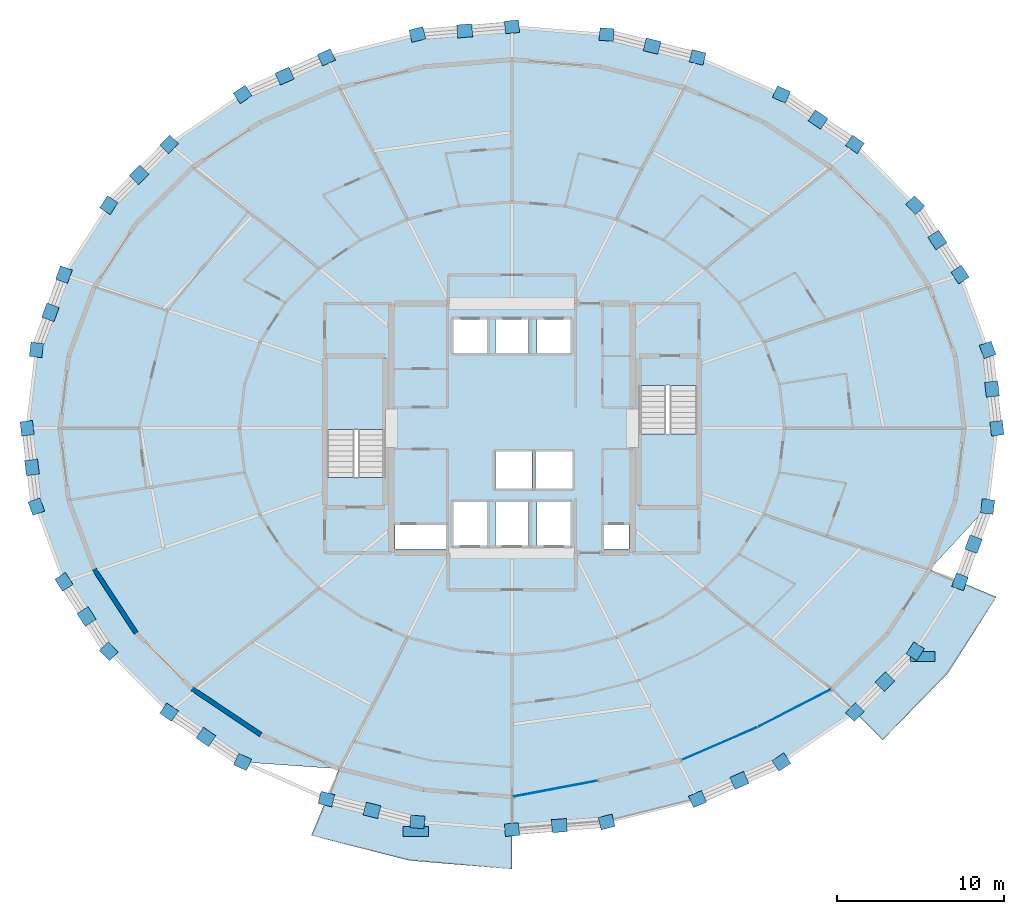
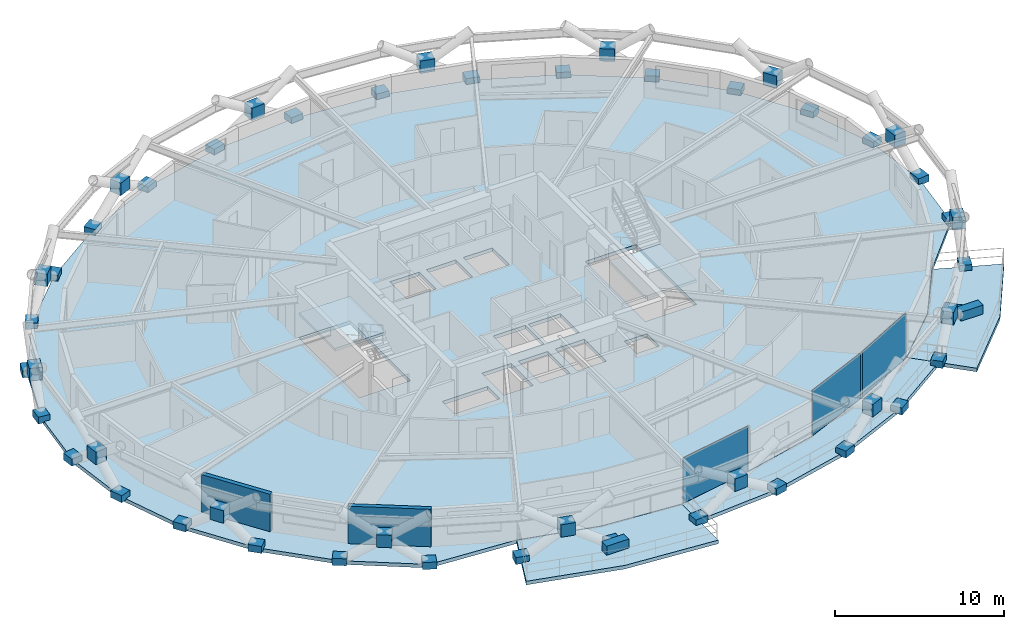
# One storey, part 8 of 14: 53 plates, 6 slabs, 2 walls, 4 elements without a shape of their own.
"""IFC4 building model written with IfcOpenShell, lengths in metres."""

from ifc_helpers import new_model, si_unit, direction, frame, frame_2d, origin, origin_2d, place, context, subcontext, project, spatial, polyline, rectangle, outline, extrude, material, layer, layer_set, type_object, element, aggregate, save


model = new_model("IFC4")

# Units and contexts
model_context = context("Model", 3, precision=1e-05, world=origin(), true_north=direction((0.0, 1.0)))
body_context = subcontext(model_context, "Body", "Model", "MODEL_VIEW")
ifc_project = project(units=[si_unit("LENGTHUNIT", "METRE"), si_unit("AREAUNIT", "SQUARE_METRE"), si_unit("VOLUMEUNIT", "CUBIC_METRE"), si_unit("PLANEANGLEUNIT", "RADIAN"), si_unit("MASSUNIT", "GRAM", prefix="KILO")], contexts=[model_context])

# Site, building, storey
site_placement = place(None, origin())
site = spatial("IfcSite", under=ifc_project, at=site_placement, CompositionType="ELEMENT")
building_placement = place(site_placement, origin())
building = spatial("IfcBuilding", under=site, at=building_placement, Name="Veldorina Hangang Commons", CompositionType="ELEMENT")
storey_placement = place(building_placement, frame((0.0, 0.0, 88.0)))
storey = spatial("IfcBuildingStorey", under=building, at=storey_placement, Name="L22", CompositionType="ELEMENT", Elevation=88.0)

# Curtain wall, plate
ifc_material_1 = material(Name="Glass Low-E Triple IGU", Category="glass")
ifc_layer_1 = layer(ifc_material_1, 0.179931640625)
ifc_layer_set_1 = layer_set([ifc_layer_1], Name="Glass Low-E Triple IGU")
curtain_wall_type = type_object("IfcCurtainWallType", Name="CW-SYS-Z1", PredefinedType="NOTDEFINED", material=ifc_layer_set_1)
curtain_wall_1_placement = place(storey_placement, origin())
curtain_wall_1 = element("IfcCurtainWall", 1, at=curtain_wall_1_placement, inside=storey, type_object=curtain_wall_type, Name="L22 unitised curtain wall CW-L22-R1", PredefinedType="NOTDEFINED")
ifc_layer_2 = layer(ifc_material_1, 0.0400390625)
ifc_layer_set_2 = layer_set([ifc_layer_2], Name="Glass Low-E Triple IGU")
plate_type_1 = type_object("IfcPlateType", Name="CW-PNL-VIS", PredefinedType="CURTAIN_PANEL", material=ifc_layer_set_2)
plate_1_placement = place(storey_placement, frame((34.578369140625, 2.479736328125, 0.014892578125), z_axis=(0.0, 0.0, 1.0), x_axis=(0.982690482187, 0.185255003223, 0.0)))
plate_1 = element("IfcPlate", 2, at=plate_1_placement, type_object=plate_type_1, Name="CW-L22-R1 facet 1 glazed vision panel", PredefinedType="CURTAIN_PANEL", context=body_context, shape_type="SweptSolid", body=[
    extrude(rectangle(XDim=5.0673828125, YDim=0.0400390625, at=origin_2d()), origin(), (0.0, 0.0, 1.0), 3.27001953125),
])
aggregate(curtain_wall_1, [plate_1])

# Curtain wall, plates
curtain_wall_2_placement = place(storey_placement, origin())
curtain_wall_2 = element("IfcCurtainWall", 3, at=curtain_wall_2_placement, inside=storey, type_object=curtain_wall_type, Name="L22 unitised curtain wall CW-L22-R2", PredefinedType="NOTDEFINED")
plate_2_placement = place(storey_placement, frame((44.39990234375, 5.17724609375, 0.014892578125), z_axis=(0.0, 0.0, 1.0), x_axis=(0.917435479177, 0.397884583198, 0.0)))
plate_2 = element("IfcPlate", 4, at=plate_2_placement, type_object=plate_type_1, Name="CW-L22-R2 facet 1 glazed vision panel", PredefinedType="CURTAIN_PANEL", context=body_context, shape_type="SweptSolid", body=[
    extrude(rectangle(XDim=4.80078125, YDim=0.0400390625, at=origin_2d()), origin(), (0.0, 0.0, 1.0), 3.27001953125),
])
plate_3_placement = place(storey_placement, frame((48.885498046875, 7.3037109375, 0.014892578125), z_axis=(0.0, 0.0, 1.0), x_axis=(0.888657253995, 0.458572006256, 0.0)))
plate_3 = element("IfcPlate", 5, at=plate_3_placement, type_object=plate_type_1, Name="CW-L22-R2 facet 2 glazed vision panel", PredefinedType="CURTAIN_PANEL", context=body_context, shape_type="SweptSolid", body=[
    extrude(rectangle(XDim=4.772705078125, YDim=0.0400390625, at=origin_2d()), origin(), (0.0, 0.0, 1.0), 3.27001953125),
])
aggregate(curtain_wall_2, [plate_2, plate_3])

# Plates
ifc_material_2 = material(Name="Steel SM460-TMC", Category="steel")
ifc_layer_3 = layer(ifc_material_2, 0.035888671875)
ifc_layer_set_3 = layer_set([ifc_layer_3], Name="Steel SM460-TMC")
plate_type_2 = type_object("IfcPlateType", Name="PL-STAR-36", PredefinedType="USERDEFINED", material=ifc_layer_set_3)
plate_4_placement = place(storey_placement, frame((60.95166015625, 24.0, -0.090087890625), z_axis=(0.0, 0.0, 1.0), x_axis=(-0.11814400649, 0.992996472164, 0.0)))
element("IfcPlate", 6, at=plate_4_placement, inside=storey, type_object=plate_type_2, Name="L22 diagrid star-node gusset plate 00", ObjectType="GUSSET PLATE", PredefinedType="USERDEFINED", context=body_context, shape_type="SweptSolid", body=[
    extrude(rectangle(XDim=0.85009765625, YDim=0.75, at=origin_2d()), origin(), (0.0, 0.0, 1.0), 0.5),
])
plate_5_placement = place(storey_placement, frame((60.65869140625, 26.3369140625, 1.350830078125), z_axis=(0.0, 0.0, 1.0), x_axis=(-0.11814400649, 0.992996472164, 0.0)))
element("IfcPlate", 7, at=plate_5_placement, inside=storey, type_object=plate_type_2, Name="L22 diagrid X-crossing star-node gusset plate 00", ObjectType="GUSSET PLATE", PredefinedType="USERDEFINED", context=body_context, shape_type="SweptSolid", body=[
    extrude(rectangle(XDim=0.89990234375, YDim=0.780029296875, at=origin_2d()), origin(), (0.0, 0.0, 1.0), 0.89990234375),
])
for number, where, z_axis, x_axis, name in (
    (8, (60.3955078125, 28.675537109375, -0.090087890625), (0.0, 0.0, 1.0), (-0.344069419026, 0.938944212875, 0.0), "L22 diagrid star-node gusset plate 01"),
    (9, (58.747802734375, 33.17138671875, -0.090087890625), (0.0, 0.0, 1.0), (-0.542441536663, 0.840093553899, 0.0), "L22 diagrid star-node gusset plate 02"),
):
    element("IfcPlate", number, at=place(storey_placement, frame(where, z_axis=z_axis, x_axis=x_axis)), inside=storey, type_object=plate_type_2, Name=name, ObjectType="GUSSET PLATE", PredefinedType="USERDEFINED", context=body_context, shape_type="SweptSolid", body=[
        extrude(rectangle(XDim=0.85009765625, YDim=0.75, at=origin_2d()), origin(), (0.0, 0.0, 1.0), 0.5),
    ])
plate_6_placement = place(storey_placement, frame((57.39697265625, 35.23828125, 1.350830078125), z_axis=(0.0, 0.0, 1.0), x_axis=(-0.542441536663, 0.840093553899, 0.0)))
element("IfcPlate", 10, at=plate_6_placement, inside=storey, type_object=plate_type_2, Name="L22 diagrid X-crossing star-node gusset plate 02", ObjectType="GUSSET PLATE", PredefinedType="USERDEFINED", context=body_context, shape_type="SweptSolid", body=[
    extrude(rectangle(XDim=0.89990234375, YDim=0.780029296875, at=origin_2d()), origin(), (0.0, 0.0, 1.0), 0.89990234375),
])
for number, where, z_axis, x_axis, name in (
    (11, (56.072509765625, 37.31494140625, -0.090087890625), (0.0, 0.0, 1.0), (-0.70405190871, 0.710148512525, 0.0), "L22 diagrid star-node gusset plate 03"),
    (12, (52.471923828125, 40.94677734375, -0.090087890625), (0.0, 0.0, 1.0), (-0.827168855921, 0.561953453405, 0.0), "L22 diagrid star-node gusset plate 04"),
):
    element("IfcPlate", number, at=place(storey_placement, frame(where, z_axis=z_axis, x_axis=x_axis)), inside=storey, type_object=plate_type_2, Name=name, ObjectType="GUSSET PLATE", PredefinedType="USERDEFINED", context=body_context, shape_type="SweptSolid", body=[
        extrude(rectangle(XDim=0.85009765625, YDim=0.75, at=origin_2d()), origin(), (0.0, 0.0, 1.0), 0.5),
    ])
plate_7_placement = place(storey_placement, frame((50.268798828125, 42.4287109375, 1.350830078125), z_axis=(0.0, 0.0, 1.0), x_axis=(-0.827168855921, 0.561953453405, 0.0)))
element("IfcPlate", 13, at=plate_7_placement, inside=storey, type_object=plate_type_2, Name="L22 diagrid X-crossing star-node gusset plate 04", ObjectType="GUSSET PLATE", PredefinedType="USERDEFINED", context=body_context, shape_type="SweptSolid", body=[
    extrude(rectangle(XDim=0.89990234375, YDim=0.780029296875, at=origin_2d()), origin(), (0.0, 0.0, 1.0), 0.89990234375),
])
for number, where, z_axis, x_axis, name in (
    (14, (48.084716796875, 43.92724609375, -0.090087890625), (0.0, 0.0, 1.0), (-0.91448008638, 0.404630907884, 0.0), "L22 diagrid star-node gusset plate 05"),
    (15, (43.079345703125, 46.141845703125, -0.090087890625), (0.0, 0.0, 1.0), (-0.969889020457, 0.243547301352, 0.0), "L22 diagrid star-node gusset plate 06"),
):
    element("IfcPlate", number, at=place(storey_placement, frame(where, z_axis=z_axis, x_axis=x_axis)), inside=storey, type_object=plate_type_2, Name=name, ObjectType="GUSSET PLATE", PredefinedType="USERDEFINED", context=body_context, shape_type="SweptSolid", body=[
        extrude(rectangle(XDim=0.85009765625, YDim=0.75, at=origin_2d()), origin(), (0.0, 0.0, 1.0), 0.5),
    ])
plate_8_placement = place(storey_placement, frame((40.359375, 46.813720703125, 1.350830078125), z_axis=(0.0, 0.0, 1.0), x_axis=(-0.969889020457, 0.243547301352, 0.0)))
element("IfcPlate", 16, at=plate_8_placement, inside=storey, type_object=plate_type_2, Name="L22 diagrid X-crossing star-node gusset plate 06", ObjectType="GUSSET PLATE", PredefinedType="USERDEFINED", context=body_context, shape_type="SweptSolid", body=[
    extrude(rectangle(XDim=0.89990234375, YDim=0.780029296875, at=origin_2d()), origin(), (0.0, 0.0, 1.0), 0.89990234375),
])
for number, where, z_axis, x_axis, name in (
    (17, (37.648193359375, 47.505615234375, -0.090087890625), (0.0, 0.0, 1.0), (-0.996692929705, 0.08126010015, 0.0), "L22 diagrid star-node gusset plate 07"),
    (18, (32.0, 47.96630859375, -0.090087890625), (0.0, 0.0, 1.0), (-0.996692929705, -0.08126010015, 0.0), "L22 diagrid star-node gusset plate 08"),
):
    element("IfcPlate", number, at=place(storey_placement, frame(where, z_axis=z_axis, x_axis=x_axis)), inside=storey, type_object=plate_type_2, Name=name, ObjectType="GUSSET PLATE", PredefinedType="USERDEFINED", context=body_context, shape_type="SweptSolid", body=[
        extrude(rectangle(XDim=0.85009765625, YDim=0.75, at=origin_2d()), origin(), (0.0, 0.0, 1.0), 0.5),
    ])
plate_9_placement = place(storey_placement, frame((29.177490234375, 47.725341796875, 1.350830078125), z_axis=(0.0, 0.0, 1.0), x_axis=(-0.996692929705, -0.08126010015, 0.0)))
element("IfcPlate", 19, at=plate_9_placement, inside=storey, type_object=plate_type_2, Name="L22 diagrid X-crossing star-node gusset plate 08", ObjectType="GUSSET PLATE", PredefinedType="USERDEFINED", context=body_context, shape_type="SweptSolid", body=[
    extrude(rectangle(XDim=0.89990234375, YDim=0.780029296875, at=origin_2d()), origin(), (0.0, 0.0, 1.0), 0.89990234375),
])
for number, where, z_axis, x_axis, name in (
    (20, (26.351806640625, 47.505615234375, -0.090087890625), (0.0, 0.0, 1.0), (-0.969889020457, -0.243547301352, 0.0), "L22 diagrid star-node gusset plate 09"),
    (21, (20.920654296875, 46.141845703125, -0.090087890625), (0.0, 0.0, 1.0), (-0.91448008638, -0.404630907884, 0.0), "L22 diagrid star-node gusset plate 10"),
):
    element("IfcPlate", number, at=place(storey_placement, frame(where, z_axis=z_axis, x_axis=x_axis)), inside=storey, type_object=plate_type_2, Name=name, ObjectType="GUSSET PLATE", PredefinedType="USERDEFINED", context=body_context, shape_type="SweptSolid", body=[
        extrude(rectangle(XDim=0.85009765625, YDim=0.75, at=origin_2d()), origin(), (0.0, 0.0, 1.0), 0.5),
    ])
plate_10_placement = place(storey_placement, frame((18.425048828125, 45.025146484375, 1.350830078125), z_axis=(0.0, 0.0, 1.0), x_axis=(-0.91448008638, -0.404630907884, 0.0)))
element("IfcPlate", 22, at=plate_10_placement, inside=storey, type_object=plate_type_2, Name="L22 diagrid X-crossing star-node gusset plate 10", ObjectType="GUSSET PLATE", PredefinedType="USERDEFINED", context=body_context, shape_type="SweptSolid", body=[
    extrude(rectangle(XDim=0.89990234375, YDim=0.780029296875, at=origin_2d()), origin(), (0.0, 0.0, 1.0), 0.89990234375),
])
for number, where, z_axis, x_axis, name in (
    (23, (15.915283203125, 43.92724609375, -0.090087890625), (0.0, 0.0, 1.0), (-0.827168855921, -0.561953453405, 0.0), "L22 diagrid star-node gusset plate 11"),
    (24, (11.528076171875, 40.94677734375, -0.090087890625), (0.0, 0.0, 1.0), (-0.70405190871, -0.710148512525, 0.0), "L22 diagrid star-node gusset plate 12"),
):
    element("IfcPlate", number, at=place(storey_placement, frame(where, z_axis=z_axis, x_axis=x_axis)), inside=storey, type_object=plate_type_2, Name=name, ObjectType="GUSSET PLATE", PredefinedType="USERDEFINED", context=body_context, shape_type="SweptSolid", body=[
        extrude(rectangle(XDim=0.85009765625, YDim=0.75, at=origin_2d()), origin(), (0.0, 0.0, 1.0), 0.5),
    ])
plate_11_placement = place(storey_placement, frame((9.739501953125, 39.1240234375, 1.350830078125), z_axis=(0.0, 0.0, 1.0), x_axis=(-0.70405190871, -0.710148512525, 0.0)))
element("IfcPlate", 25, at=plate_11_placement, inside=storey, type_object=plate_type_2, Name="L22 diagrid X-crossing star-node gusset plate 12", ObjectType="GUSSET PLATE", PredefinedType="USERDEFINED", context=body_context, shape_type="SweptSolid", body=[
    extrude(rectangle(XDim=0.89990234375, YDim=0.780029296875, at=origin_2d()), origin(), (0.0, 0.0, 1.0), 0.89990234375),
])
for number, where, z_axis, x_axis, name in (
    (26, (7.927490234375, 37.31494140625, -0.090087890625), (0.0, 0.0, 1.0), (-0.542441536663, -0.840093553899, 0.0), "L22 diagrid star-node gusset plate 13"),
    (27, (5.252197265625, 33.17138671875, -0.090087890625), (0.0, 0.0, 1.0), (-0.344069419026, -0.938944212875, 0.0), "L22 diagrid star-node gusset plate 14"),
):
    element("IfcPlate", number, at=place(storey_placement, frame(where, z_axis=z_axis, x_axis=x_axis)), inside=storey, type_object=plate_type_2, Name=name, ObjectType="GUSSET PLATE", PredefinedType="USERDEFINED", context=body_context, shape_type="SweptSolid", body=[
        extrude(rectangle(XDim=0.85009765625, YDim=0.75, at=origin_2d()), origin(), (0.0, 0.0, 1.0), 0.5),
    ])
plate_12_placement = place(storey_placement, frame((4.44287109375, 30.92041015625, 1.350830078125), z_axis=(0.0, 0.0, 1.0), x_axis=(-0.344069419026, -0.938944212875, 0.0)))
element("IfcPlate", 28, at=plate_12_placement, inside=storey, type_object=plate_type_2, Name="L22 diagrid X-crossing star-node gusset plate 14", ObjectType="GUSSET PLATE", PredefinedType="USERDEFINED", context=body_context, shape_type="SweptSolid", body=[
    extrude(rectangle(XDim=0.89990234375, YDim=0.780029296875, at=origin_2d()), origin(), (0.0, 0.0, 1.0), 0.89990234375),
])
for number, where, z_axis, x_axis, name in (
    (29, (3.6044921875, 28.675537109375, -0.090087890625), (0.0, 0.0, 1.0), (-0.11814400649, -0.992996472164, 0.0), "L22 diagrid star-node gusset plate 15"),
    (30, (3.04833984375, 24.0, -0.090087890625), (0.0, 0.0, 1.0), (0.11814400649, -0.992996472164, 0.0), "L22 diagrid star-node gusset plate 16"),
):
    element("IfcPlate", number, at=place(storey_placement, frame(where, z_axis=z_axis, x_axis=x_axis)), inside=storey, type_object=plate_type_2, Name=name, ObjectType="GUSSET PLATE", PredefinedType="USERDEFINED", context=body_context, shape_type="SweptSolid", body=[
        extrude(rectangle(XDim=0.85009765625, YDim=0.75, at=origin_2d()), origin(), (0.0, 0.0, 1.0), 0.5),
    ])
plate_13_placement = place(storey_placement, frame((3.34130859375, 21.6630859375, 1.350830078125), z_axis=(0.0, 0.0, 1.0), x_axis=(0.11814400649, -0.992996472164, 0.0)))
element("IfcPlate", 31, at=plate_13_placement, inside=storey, type_object=plate_type_2, Name="L22 diagrid X-crossing star-node gusset plate 16", ObjectType="GUSSET PLATE", PredefinedType="USERDEFINED", context=body_context, shape_type="SweptSolid", body=[
    extrude(rectangle(XDim=0.89990234375, YDim=0.780029296875, at=origin_2d()), origin(), (0.0, 0.0, 1.0), 0.89990234375),
])
for number, where, z_axis, x_axis, name in (
    (32, (3.6044921875, 19.324462890625, -0.090087890625), (0.0, 0.0, 1.0), (0.344069419026, -0.938944212875, 0.0), "L22 diagrid star-node gusset plate 17"),
    (33, (5.252197265625, 14.82861328125, -0.090087890625), (0.0, 0.0, 1.0), (0.542441536663, -0.840093553899, 0.0), "L22 diagrid star-node gusset plate 18"),
):
    element("IfcPlate", number, at=place(storey_placement, frame(where, z_axis=z_axis, x_axis=x_axis)), inside=storey, type_object=plate_type_2, Name=name, ObjectType="GUSSET PLATE", PredefinedType="USERDEFINED", context=body_context, shape_type="SweptSolid", body=[
        extrude(rectangle(XDim=0.85009765625, YDim=0.75, at=origin_2d()), origin(), (0.0, 0.0, 1.0), 0.5),
    ])
plate_14_placement = place(storey_placement, frame((6.60302734375, 12.76171875, 1.350830078125), z_axis=(0.0, 0.0, 1.0), x_axis=(0.542441536663, -0.840093553899, 0.0)))
element("IfcPlate", 34, at=plate_14_placement, inside=storey, type_object=plate_type_2, Name="L22 diagrid X-crossing star-node gusset plate 18", ObjectType="GUSSET PLATE", PredefinedType="USERDEFINED", context=body_context, shape_type="SweptSolid", body=[
    extrude(rectangle(XDim=0.89990234375, YDim=0.780029296875, at=origin_2d()), origin(), (0.0, 0.0, 1.0), 0.89990234375),
])
for number, where, z_axis, x_axis, name in (
    (35, (7.927490234375, 10.68505859375, -0.090087890625), (0.0, 0.0, 1.0), (0.70405190871, -0.710148512525, 0.0), "L22 diagrid star-node gusset plate 19"),
    (36, (11.528076171875, 7.05322265625, -0.090087890625), (0.0, 0.0, 1.0), (0.827168855921, -0.561953453405, 0.0), "L22 diagrid star-node gusset plate 20"),
):
    element("IfcPlate", number, at=place(storey_placement, frame(where, z_axis=z_axis, x_axis=x_axis)), inside=storey, type_object=plate_type_2, Name=name, ObjectType="GUSSET PLATE", PredefinedType="USERDEFINED", context=body_context, shape_type="SweptSolid", body=[
        extrude(rectangle(XDim=0.85009765625, YDim=0.75, at=origin_2d()), origin(), (0.0, 0.0, 1.0), 0.5),
    ])
plate_15_placement = place(storey_placement, frame((13.731201171875, 5.5712890625, 1.350830078125), z_axis=(0.0, 0.0, 1.0), x_axis=(0.827168855921, -0.561953453405, 0.0)))
element("IfcPlate", 37, at=plate_15_placement, inside=storey, type_object=plate_type_2, Name="L22 diagrid X-crossing star-node gusset plate 20", ObjectType="GUSSET PLATE", PredefinedType="USERDEFINED", context=body_context, shape_type="SweptSolid", body=[
    extrude(rectangle(XDim=0.89990234375, YDim=0.780029296875, at=origin_2d()), origin(), (0.0, 0.0, 1.0), 0.89990234375),
])
for number, where, z_axis, x_axis, name in (
    (38, (15.915283203125, 4.07275390625, -0.090087890625), (0.0, 0.0, 1.0), (0.91448008638, -0.404630907884, 0.0), "L22 diagrid star-node gusset plate 21"),
    (39, (20.920654296875, 1.858154296875, -0.090087890625), (0.0, 0.0, 1.0), (0.969889020457, -0.243547301352, 0.0), "L22 diagrid star-node gusset plate 22"),
):
    element("IfcPlate", number, at=place(storey_placement, frame(where, z_axis=z_axis, x_axis=x_axis)), inside=storey, type_object=plate_type_2, Name=name, ObjectType="GUSSET PLATE", PredefinedType="USERDEFINED", context=body_context, shape_type="SweptSolid", body=[
        extrude(rectangle(XDim=0.85009765625, YDim=0.75, at=origin_2d()), origin(), (0.0, 0.0, 1.0), 0.5),
    ])
plate_16_placement = place(storey_placement, frame((23.640625, 1.186279296875, 1.350830078125), z_axis=(0.0, 0.0, 1.0), x_axis=(0.969889020457, -0.243547301352, 0.0)))
element("IfcPlate", 40, at=plate_16_placement, inside=storey, type_object=plate_type_2, Name="L22 diagrid X-crossing star-node gusset plate 22", ObjectType="GUSSET PLATE", PredefinedType="USERDEFINED", context=body_context, shape_type="SweptSolid", body=[
    extrude(rectangle(XDim=0.89990234375, YDim=0.780029296875, at=origin_2d()), origin(), (0.0, 0.0, 1.0), 0.89990234375),
])
for number, where, z_axis, x_axis, name in (
    (41, (26.351806640625, 0.494384765625, -0.090087890625), (0.0, 0.0, 1.0), (0.996692929705, -0.08126010015, 0.0), "L22 diagrid star-node gusset plate 23"),
    (42, (32.0, 0.03369140625, -0.090087890625), (0.0, 0.0, 1.0), (0.996692929705, 0.08126010015, 0.0), "L22 diagrid star-node gusset plate 24"),
):
    element("IfcPlate", number, at=place(storey_placement, frame(where, z_axis=z_axis, x_axis=x_axis)), inside=storey, type_object=plate_type_2, Name=name, ObjectType="GUSSET PLATE", PredefinedType="USERDEFINED", context=body_context, shape_type="SweptSolid", body=[
        extrude(rectangle(XDim=0.85009765625, YDim=0.75, at=origin_2d()), origin(), (0.0, 0.0, 1.0), 0.5),
    ])
plate_17_placement = place(storey_placement, frame((34.822509765625, 0.274658203125, 1.350830078125), z_axis=(0.0, 0.0, 1.0), x_axis=(0.996692929705, 0.08126010015, 0.0)))
element("IfcPlate", 43, at=plate_17_placement, inside=storey, type_object=plate_type_2, Name="L22 diagrid X-crossing star-node gusset plate 24", ObjectType="GUSSET PLATE", PredefinedType="USERDEFINED", context=body_context, shape_type="SweptSolid", body=[
    extrude(rectangle(XDim=0.89990234375, YDim=0.780029296875, at=origin_2d()), origin(), (0.0, 0.0, 1.0), 0.89990234375),
])
for number, where, z_axis, x_axis, name in (
    (44, (37.648193359375, 0.494384765625, -0.090087890625), (0.0, 0.0, 1.0), (0.969889020457, 0.243547301352, 0.0), "L22 diagrid star-node gusset plate 25"),
    (45, (43.079345703125, 1.858154296875, -0.090087890625), (0.0, 0.0, 1.0), (0.91448008638, 0.404630907884, 0.0), "L22 diagrid star-node gusset plate 26"),
):
    element("IfcPlate", number, at=place(storey_placement, frame(where, z_axis=z_axis, x_axis=x_axis)), inside=storey, type_object=plate_type_2, Name=name, ObjectType="GUSSET PLATE", PredefinedType="USERDEFINED", context=body_context, shape_type="SweptSolid", body=[
        extrude(rectangle(XDim=0.85009765625, YDim=0.75, at=origin_2d()), origin(), (0.0, 0.0, 1.0), 0.5),
    ])
plate_18_placement = place(storey_placement, frame((45.574951171875, 2.974853515625, 1.350830078125), z_axis=(0.0, 0.0, 1.0), x_axis=(0.91448008638, 0.404630907884, 0.0)))
element("IfcPlate", 46, at=plate_18_placement, inside=storey, type_object=plate_type_2, Name="L22 diagrid X-crossing star-node gusset plate 26", ObjectType="GUSSET PLATE", PredefinedType="USERDEFINED", context=body_context, shape_type="SweptSolid", body=[
    extrude(rectangle(XDim=0.89990234375, YDim=0.780029296875, at=origin_2d()), origin(), (0.0, 0.0, 1.0), 0.89990234375),
])
for number, where, z_axis, x_axis, name in (
    (47, (48.084716796875, 4.07275390625, -0.090087890625), (0.0, 0.0, 1.0), (0.827168855921, 0.561953453405, 0.0), "L22 diagrid star-node gusset plate 27"),
    (48, (52.471923828125, 7.05322265625, -0.090087890625), (0.0, 0.0, 1.0), (0.70405190871, 0.710148512525, 0.0), "L22 diagrid star-node gusset plate 28"),
):
    element("IfcPlate", number, at=place(storey_placement, frame(where, z_axis=z_axis, x_axis=x_axis)), inside=storey, type_object=plate_type_2, Name=name, ObjectType="GUSSET PLATE", PredefinedType="USERDEFINED", context=body_context, shape_type="SweptSolid", body=[
        extrude(rectangle(XDim=0.85009765625, YDim=0.75, at=origin_2d()), origin(), (0.0, 0.0, 1.0), 0.5),
    ])
plate_19_placement = place(storey_placement, frame((54.260498046875, 8.8759765625, 1.350830078125), z_axis=(0.0, 0.0, 1.0), x_axis=(0.70405190871, 0.710148512525, 0.0)))
element("IfcPlate", 49, at=plate_19_placement, inside=storey, type_object=plate_type_2, Name="L22 diagrid X-crossing star-node gusset plate 28", ObjectType="GUSSET PLATE", PredefinedType="USERDEFINED", context=body_context, shape_type="SweptSolid", body=[
    extrude(rectangle(XDim=0.89990234375, YDim=0.780029296875, at=origin_2d()), origin(), (0.0, 0.0, 1.0), 0.89990234375),
])
for number, where, z_axis, x_axis, name in (
    (50, (56.072509765625, 10.68505859375, -0.090087890625), (0.0, 0.0, 1.0), (0.542441536663, 0.840093553899, 0.0), "L22 diagrid star-node gusset plate 29"),
    (51, (58.747802734375, 14.82861328125, -0.090087890625), (0.0, 0.0, 1.0), (0.344069419026, 0.938944212875, 0.0), "L22 diagrid star-node gusset plate 30"),
):
    element("IfcPlate", number, at=place(storey_placement, frame(where, z_axis=z_axis, x_axis=x_axis)), inside=storey, type_object=plate_type_2, Name=name, ObjectType="GUSSET PLATE", PredefinedType="USERDEFINED", context=body_context, shape_type="SweptSolid", body=[
        extrude(rectangle(XDim=0.85009765625, YDim=0.75, at=origin_2d()), origin(), (0.0, 0.0, 1.0), 0.5),
    ])
plate_20_placement = place(storey_placement, frame((59.55712890625, 17.07958984375, 1.350830078125), z_axis=(0.0, 0.0, 1.0), x_axis=(0.344069419026, 0.938944212875, 0.0)))
element("IfcPlate", 52, at=plate_20_placement, inside=storey, type_object=plate_type_2, Name="L22 diagrid X-crossing star-node gusset plate 30", ObjectType="GUSSET PLATE", PredefinedType="USERDEFINED", context=body_context, shape_type="SweptSolid", body=[
    extrude(rectangle(XDim=0.89990234375, YDim=0.780029296875, at=origin_2d()), origin(), (0.0, 0.0, 1.0), 0.89990234375),
])
plate_21_placement = place(storey_placement, frame((60.3955078125, 19.324462890625, -0.090087890625), z_axis=(0.0, 0.0, 1.0), x_axis=(0.11814400649, 0.992996472164, 0.0)))
element("IfcPlate", 53, at=plate_21_placement, inside=storey, type_object=plate_type_2, Name="L22 diagrid star-node gusset plate 31", ObjectType="GUSSET PLATE", PredefinedType="USERDEFINED", context=body_context, shape_type="SweptSolid", body=[
    extrude(rectangle(XDim=0.85009765625, YDim=0.75, at=origin_2d()), origin(), (0.0, 0.0, 1.0), 0.5),
])
ifc_material_3 = material(Name="Stone Roman Travertine", Category="masonry")
ifc_layer_4 = layer(ifc_material_3, 0.64990234375)
ifc_layer_set_4 = layer_set([ifc_layer_4], Name="Stone Roman Travertine")
plate_type_3 = type_object("IfcPlateType", Name="PLN-TBAL-1800", PredefinedType="USERDEFINED", material=ifc_layer_set_4)
for number, where, z_axis, x_axis, name in (
    (54, (26.25048828125, -0.077392578125, 0.0), (0.0, 0.0, 1.0), (1.0, 0.0, 0.0), "L22 TREE BALCONY PLANTER 1"),
    (55, (56.50390625, 10.361083984375, 0.0), (0.0, 0.0, 1.0), (1.0, 0.0, 0.0), "L22 TREE BALCONY PLANTER 2"),
):
    element("IfcPlate", number, at=place(storey_placement, frame(where, z_axis=z_axis, x_axis=x_axis)), inside=storey, type_object=plate_type_3, Name=name, ObjectType="PLANTER", PredefinedType="USERDEFINED", context=body_context, shape_type="SweptSolid", body=[
        extrude(rectangle(XDim=1.5, YDim=0.60009765625, at=origin_2d()), origin(), (0.0, 0.0, 1.0), 0.64990234375),
    ])

# Slabs
ifc_material_4 = material(Name="Concrete C40/50", Category="concrete")
ifc_layer_5 = layer(ifc_material_4, 0.260009765625)
ifc_layer_set_5 = layer_set([ifc_layer_5], Name="Concrete C40/50")
slab_type_1 = type_object("IfcSlabType", Name="SL-FLR-260", PredefinedType="FLOOR", material=ifc_layer_set_5)
slab_1_placement = place(storey_placement, frame((0.0, 0.0, -0.260009765625)))
element("IfcSlab", 56, at=slab_1_placement, inside=storey, type_object=slab_type_1, Name="L22 tower structural floor slab", PredefinedType="FLOOR", context=body_context, shape_type="SweptSolid", body=[
    extrude(outline(polyline([(60.95166015625, 24.0), (60.3955078125, 28.675537109375), (58.747802734375, 33.17138671875), (56.072509765625, 37.31494140625), (52.471923828125, 40.94677734375), (48.084716796875, 43.92724609375), (43.079345703125, 46.141845703125), (37.648193359375, 47.505615234375), (32.0, 47.96630859375), (26.351806640625, 47.505615234375), (20.920654296875, 46.141845703125), (15.915283203125, 43.92724609375), (11.528076171875, 40.94677734375), (7.927490234375, 37.31494140625), (5.252197265625, 33.17138671875), (3.6044921875, 28.675537109375), (3.04833984375, 24.0), (3.6044921875, 19.324462890625), (5.252197265625, 14.82861328125), (7.927490234375, 10.68505859375), (11.528076171875, 7.05322265625), (15.915283203125, 4.07275390625), (21.670654296875, 3.6689453125), (26.734130859375, 2.41650390625), (32.0, 1.993896484375), (37.156494140625, 2.9658203125), (42.114990234375, 4.186279296875), (46.684814453125, 6.168212890625), (51.0859375, 8.439208984375), (54.44287109375, 11.77392578125), (56.93701171875, 15.57861328125), (60.3955078125, 19.324462890625), (60.95166015625, 24.0)]), holes=[polyline([(20.949951171875, 21.05810546875), (20.949951171875, 28.199951171875), (24.449951171875, 28.199951171875), (24.449951171875, 21.05810546875), (20.949951171875, 21.05810546875)]), polyline([(43.050048828125, 26.5419921875), (43.050048828125, 19.39990234375), (39.550048828125, 19.39990234375), (39.550048828125, 26.5419921875), (43.050048828125, 26.5419921875)]), polyline([(28.5, 30.5), (30.5, 30.5), (30.5, 28.5), (28.5, 28.5), (28.5, 30.5)]), polyline([(31.0, 30.5), (33.0, 30.5), (33.0, 28.5), (31.0, 28.5), (31.0, 30.5)]), polyline([(33.5, 30.5), (35.5, 30.5), (35.5, 28.5), (33.5, 28.5), (33.5, 30.5)]), polyline([(31.0, 22.60009765625), (33.199951171875, 22.60009765625), (33.199951171875, 20.39990234375), (31.0, 20.39990234375), (31.0, 22.60009765625)]), polyline([(33.39990234375, 22.60009765625), (35.60009765625, 22.60009765625), (35.60009765625, 20.39990234375), (33.39990234375, 20.39990234375), (33.39990234375, 22.60009765625)]), polyline([(28.5, 19.60009765625), (30.5, 19.60009765625), (30.5, 17.0), (28.5, 17.0), (28.5, 19.60009765625)]), polyline([(31.0, 19.60009765625), (33.0, 19.60009765625), (33.0, 17.0), (31.0, 17.0), (31.0, 19.60009765625)]), polyline([(33.5, 19.60009765625), (35.5, 19.60009765625), (35.5, 17.0), (33.5, 17.0), (33.5, 19.60009765625)]), polyline([(25.0, 18.25), (28.10009765625, 18.25), (28.10009765625, 16.800048828125), (25.0, 16.800048828125), (25.0, 18.25)]), polyline([(37.449951171875, 18.25), (39.0, 18.25), (39.0, 16.800048828125), (37.449951171875, 16.800048828125), (37.449951171875, 18.25)])]), origin(), (0.0, 0.0, 1.0), 0.260009765625),
])
slab_2_placement = place(storey_placement, frame((0.0, 0.0, -0.260009765625)))
element("IfcSlab", 57, at=slab_2_placement, inside=storey, type_object=slab_type_1, Name="L22 sky-garden loggia outdoor slab", PredefinedType="FLOOR", context=body_context, shape_type="SweptSolid", body=[
    extrude(outline(polyline([(52.471923828125, 7.05322265625), (48.084716796875, 4.07275390625), (43.079345703125, 1.858154296875), (37.648193359375, 0.494384765625), (32.0, 0.03369140625), (32.0, 1.978759765625), (32.0, 1.978759765625), (32.00146484375, 1.97900390625), (32.002685546875, 1.97900390625), (37.159423828125, 2.951171875), (37.16015625, 2.951416015625), (42.11865234375, 4.171630859375), (42.119873046875, 4.172119140625), (42.12109375, 4.172607421875), (46.690673828125, 6.154296875), (46.691650390625, 6.15478515625), (51.093017578125, 8.426025390625), (51.09423828125, 8.4267578125), (51.095458984375, 8.427490234375), (51.0966796875, 8.4287109375), (51.0966796875, 8.4287109375), (52.471923828125, 7.05322265625)])), origin(), (0.0, 0.0, 1.0), 0.260009765625),
])
slab_3_placement = place(storey_placement, frame((0.0, 0.0, -0.260009765625)))
element("IfcSlab", 58, at=slab_3_placement, inside=storey, type_object=slab_type_1, Name="L22 planted tree balcony slab 1", PredefinedType="FLOOR", context=body_context, shape_type="SweptSolid", body=[
    extrude(outline(polyline([(26.730224609375, 2.39697265625), (32.0, 1.973876953125), (32.0, -2.316162109375), (25.893310546875, -1.810546875), (20.021484375, -0.31298828125), (21.6630859375, 3.650390625), (26.730224609375, 2.39697265625)])), origin(), (0.0, 0.0, 1.0), 0.260009765625),
])
slab_4_placement = place(storey_placement, frame((0.0, 0.0, -0.260009765625)))
element("IfcSlab", 59, at=slab_4_placement, inside=storey, type_object=slab_type_1, Name="L22 planted tree balcony slab 2", PredefinedType="FLOOR", context=body_context, shape_type="SweptSolid", body=[
    extrude(outline(polyline([(54.45947265625, 11.762939453125), (56.95556640625, 15.57080078125), (60.9189453125, 13.92919921875), (58.0263671875, 9.37939453125), (54.133544921875, 5.3916015625), (51.10009765625, 8.425048828125), (54.45947265625, 11.762939453125)])), origin(), (0.0, 0.0, 1.0), 0.260009765625),
])

# Stair, slab
stair_type = type_object("IfcStairType", Name="STR-DOG-1650-20R", PredefinedType="HALF_TURN_STAIR", material=ifc_material_4)
stair_1_placement = place(storey_placement, origin())
stair_1 = element("IfcStair", 60, at=stair_1_placement, inside=storey, type_object=stair_type, Name="L22 Exit stair ST-1", PredefinedType="HALF_TURN_STAIR")
ifc_layer_6 = layer(ifc_material_4, 0.199951171875)
ifc_layer_set_6 = layer_set([ifc_layer_6], Name="Concrete C40/50")
slab_type_2 = type_object("IfcSlabType", Name="SL-LND-200", PredefinedType="LANDING", material=ifc_layer_set_6)
slab_5_placement = place(storey_placement, frame((0.0, 0.0, 1.60009765625)))
slab_5 = element("IfcSlab", 61, at=slab_5_placement, type_object=slab_type_2, Name="ST-1 landing 1", PredefinedType="LANDING", context=body_context, shape_type="SweptSolid", body=[
    extrude(outline(polyline([(24.449951171875, 23.929931640625), (24.449951171875, 28.199951171875), (20.949951171875, 28.199951171875), (20.949951171875, 23.929931640625), (24.449951171875, 23.929931640625)])), origin(), (0.0, 0.0, 1.0), 0.199951171875),
])
aggregate(stair_1, [slab_5])

stair_2_placement = place(storey_placement, origin())
stair_2 = element("IfcStair", 62, at=stair_2_placement, inside=storey, type_object=stair_type, Name="L22 Exit stair ST-2", PredefinedType="HALF_TURN_STAIR")
slab_6_placement = place(storey_placement, frame((0.0, 0.0, 1.60009765625)))
slab_6 = element("IfcSlab", 63, at=slab_6_placement, type_object=slab_type_2, Name="ST-2 landing 1", PredefinedType="LANDING", context=body_context, shape_type="SweptSolid", body=[
    extrude(outline(polyline([(39.550048828125, 23.669921875), (39.550048828125, 19.39990234375), (43.050048828125, 19.39990234375), (43.050048828125, 23.669921875), (39.550048828125, 23.669921875)])), origin(), (0.0, 0.0, 1.0), 0.199951171875),
])
aggregate(stair_2, [slab_6])

# Walls
ifc_layer_7 = layer(ifc_material_3, 0.280029296875)
ifc_layer_set_7 = layer_set([ifc_layer_7], Name="Stone Roman Travertine")
wall_type = type_object("IfcWallType", Name="EW-TRAV-280", PredefinedType="STANDARD", material=ifc_layer_set_7)
wall_1_placement = place(storey_placement, frame((7.06298828125, 15.57861328125, 0.0), z_axis=(0.0, 0.0, 1.0), x_axis=(0.548243756992, -0.836318589366, 0.0)))
element("IfcWall", 64, at=wall_1_placement, inside=storey, type_object=wall_type, Name="L22 travertine facade wall 18", PredefinedType="STANDARD", context=body_context, shape_type="SweptSolid", body=[
    extrude(rectangle(XDim=4.54931640625, YDim=0.280029296875, at=frame_2d((2.274658203125, 0.0))), origin(), (0.0, 0.0, 1.0), 2.7099609375),
])
wall_2_placement = place(storey_placement, frame((12.9140625, 8.439208984375, 0.0), z_axis=(0.0, 0.0, 1.0), x_axis=(0.831102692713, -0.556118974829, 0.0)))
element("IfcWall", 65, at=wall_2_placement, inside=storey, type_object=wall_type, Name="L22 travertine facade wall 20", PredefinedType="STANDARD", context=body_context, shape_type="SweptSolid", body=[
    extrude(rectangle(XDim=4.92138671875, YDim=0.280029296875, at=frame_2d((2.460693359375, 0.0))), origin(), (0.0, 0.0, 1.0), 2.7099609375),
])

save(model, "model.ifc")
